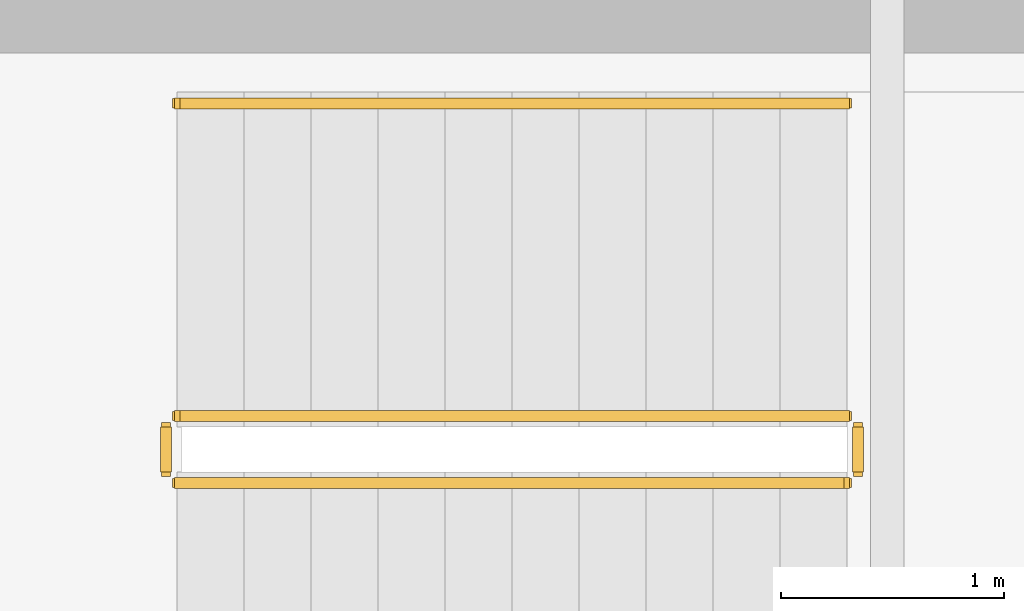
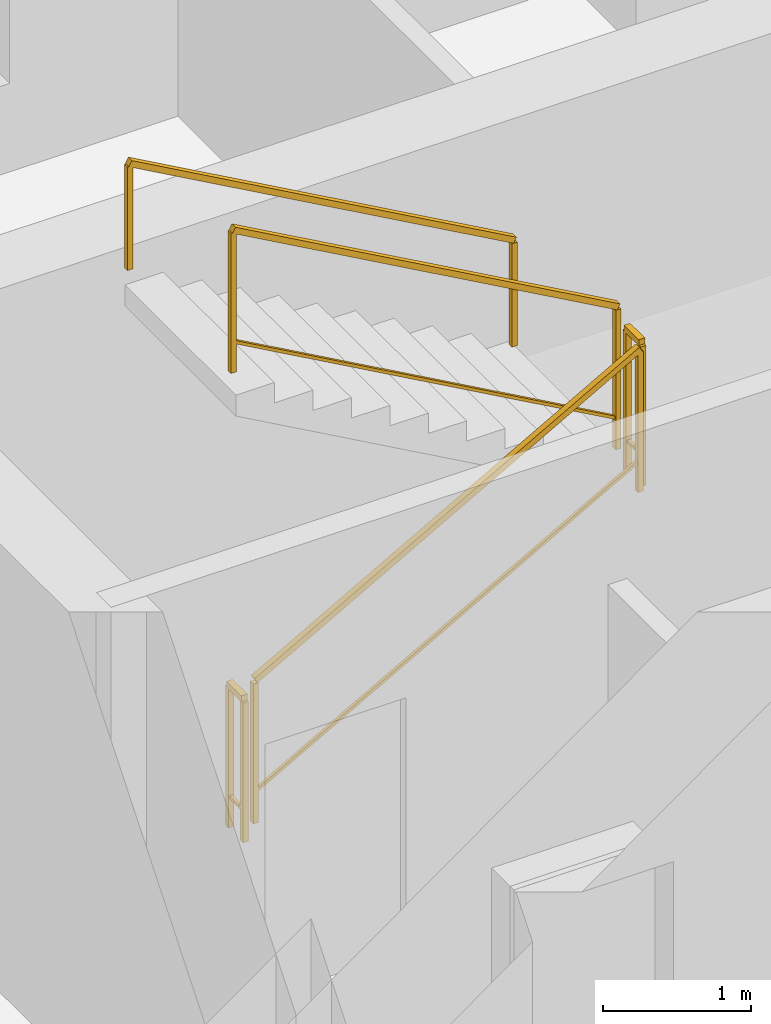
# One storey, part 10 of 10: 5 railings.
"""IFC4 building model written with IfcOpenShell, lengths in metres."""

from ifc_helpers import new_model, si_unit, direction, frame, origin, origin_2d, place, context, subcontext, project, spatial, rectangle, extrude, material, type_object, element, save


model = new_model("IFC4")

# Units and contexts
model_context = context("Model", 3, precision=1e-05, world=origin(), true_north=direction((0.0, 1.0)))
body_context = subcontext(model_context, "Body", "Model", "MODEL_VIEW")
ifc_project = project(units=[si_unit("LENGTHUNIT", "METRE"), si_unit("AREAUNIT", "SQUARE_METRE"), si_unit("VOLUMEUNIT", "CUBIC_METRE"), si_unit("PLANEANGLEUNIT", "RADIAN"), si_unit("MASSUNIT", "GRAM", prefix="KILO")], contexts=[model_context])

# Site, building, storey
site_placement = place(None, origin())
site = spatial("IfcSite", under=ifc_project, at=site_placement, CompositionType="ELEMENT")
building_placement = place(site_placement, origin())
building = spatial("IfcBuilding", under=site, at=building_placement, Name="Svetorya Sky Lyceum", CompositionType="ELEMENT")
storey_placement = place(building_placement, frame((0.0, 0.0, 129.0)))
storey = spatial("IfcBuildingStorey", under=building, at=storey_placement, Name="L32", CompositionType="ELEMENT", Elevation=129.0)

# Railings
ifc_material_1 = material(Name="Painted galvanized stair well guard")
railing_type_1 = type_object("IfcRailingType", Name="RL-STR-GUARD-1200", PredefinedType="GUARDRAIL", material=ifc_material_1)
railing_1_placement = place(storey_placement, frame((27.699951171875, 43.60009765625, 0.168212890625)))
element("IfcRailing", 1, at=railing_1_placement, inside=storey, type_object=railing_type_1, Name="L32 ST-N stair guard 1", PredefinedType="GUARDRAIL", context=body_context, shape_type="SweptSolid", body=[
    extrude(rectangle(XDim=0.048095703125, YDim=0.048095703125, at=origin_2d()), frame((0.0, 0.0, 1.17578125), z_axis=(0.872272294576, 0.0, 0.489020494575), x_axis=(0.0, 1.0, 0.0)), (0.0, 0.0, 1.0), 3.439208984375),
    extrude(rectangle(XDim=0.02392578125, YDim=0.02392578125, at=origin_2d()), frame((0.0, 0.0, 0.25), z_axis=(0.872272294576, 0.0, 0.489020494575), x_axis=(0.0, 1.0, 0.0)), (0.0, 0.0, 1.0), 3.439208984375),
    extrude(rectangle(XDim=0.0419921875, YDim=0.0419921875, at=origin_2d()), origin(), (0.0, 0.0, 1.0), 1.15185546875),
    extrude(rectangle(XDim=0.0419921875, YDim=0.0419921875, at=origin_2d()), frame((3.0, 0.0, 1.681884765625)), (0.0, 0.0, 1.0), 1.15185546875),
])
railing_2_placement = place(storey_placement, frame((30.75, 43.64990234375, 1.85009765625)))
element("IfcRailing", 2, at=railing_2_placement, inside=storey, type_object=railing_type_1, Name="L32 ST-N stair guard 2", PredefinedType="GUARDRAIL", context=body_context, shape_type="SweptSolid", body=[
    extrude(rectangle(XDim=0.048095703125, YDim=0.048095703125, at=origin_2d()), frame((0.0, 0.0, 1.17578125), z_axis=(0.0, 1.0, 0.0), x_axis=(-1.0, 0.0, 0.0)), (0.0, 0.0, 1.0), 0.2001953125),
    extrude(rectangle(XDim=0.02392578125, YDim=0.02392578125, at=origin_2d()), frame((0.0, 0.0, 0.25), z_axis=(0.0, 1.0, 0.0), x_axis=(-1.0, 0.0, 0.0)), (0.0, 0.0, 1.0), 0.2001953125),
    extrude(rectangle(XDim=0.0419921875, YDim=0.0419921875, at=origin_2d()), origin(), (0.0, 0.0, 1.0), 1.15185546875),
    extrude(rectangle(XDim=0.0419921875, YDim=0.0419921875, at=origin_2d()), frame((0.0, 0.2001953125, 0.0)), (0.0, 0.0, 1.0), 1.15185546875),
])
railing_3_placement = place(storey_placement, frame((30.699951171875, 43.89990234375, 2.01806640625)))
element("IfcRailing", 3, at=railing_3_placement, inside=storey, type_object=railing_type_1, Name="L32 ST-N stair guard 3", PredefinedType="GUARDRAIL", context=body_context, shape_type="SweptSolid", body=[
    extrude(rectangle(XDim=0.048095703125, YDim=0.048095703125, at=origin_2d()), frame((0.0, 0.0, 1.17578125), z_axis=(-0.872272294576, 0.0, 0.489020494575), x_axis=(0.0, -1.0, 0.0)), (0.0, 0.0, 1.0), 3.439208984375),
    extrude(rectangle(XDim=0.02392578125, YDim=0.02392578125, at=origin_2d()), frame((0.0, 0.0, 0.25), z_axis=(-0.872272294576, 0.0, 0.489020494575), x_axis=(0.0, -1.0, 0.0)), (0.0, 0.0, 1.0), 3.439208984375),
    extrude(rectangle(XDim=0.0419921875, YDim=0.0419921875, at=origin_2d()), origin(), (0.0, 0.0, 1.0), 1.15185546875),
    extrude(rectangle(XDim=0.0419921875, YDim=0.0419921875, at=origin_2d()), frame((-3.0, 0.0, 1.681884765625)), (0.0, 0.0, 1.0), 1.15185546875),
])
railing_4_placement = place(storey_placement, frame((27.64990234375, 43.64990234375, 0.0)))
element("IfcRailing", 4, at=railing_4_placement, inside=storey, type_object=railing_type_1, Name="L32 ST-N stair guard 4", PredefinedType="GUARDRAIL", context=body_context, shape_type="SweptSolid", body=[
    extrude(rectangle(XDim=0.048095703125, YDim=0.048095703125, at=origin_2d()), frame((0.0, 0.0, 1.17578125), z_axis=(0.0, 1.0, 0.0), x_axis=(-1.0, 0.0, 0.0)), (0.0, 0.0, 1.0), 0.2001953125),
    extrude(rectangle(XDim=0.02392578125, YDim=0.02392578125, at=origin_2d()), frame((0.0, 0.0, 0.25), z_axis=(0.0, 1.0, 0.0), x_axis=(-1.0, 0.0, 0.0)), (0.0, 0.0, 1.0), 0.2001953125),
    extrude(rectangle(XDim=0.0419921875, YDim=0.0419921875, at=origin_2d()), origin(), (0.0, 0.0, 1.0), 1.15185546875),
    extrude(rectangle(XDim=0.0419921875, YDim=0.0419921875, at=origin_2d()), frame((0.0, 0.2001953125, 0.0)), (0.0, 0.0, 1.0), 1.15185546875),
])
ifc_material_2 = material(Name="Brushed stainless AISI 304 stair handrail")
railing_type_2 = type_object("IfcRailingType", Name="RL-STR-HAND-920", PredefinedType="HANDRAIL", material=ifc_material_2)
railing_5_placement = place(storey_placement, frame((30.699951171875, 45.300048828125, 2.01806640625)))
element("IfcRailing", 5, at=railing_5_placement, inside=storey, type_object=railing_type_2, Name="L32 ST-N stair handrail 2", PredefinedType="HANDRAIL", context=body_context, shape_type="SweptSolid", body=[
    extrude(rectangle(XDim=0.048095703125, YDim=0.048095703125, at=origin_2d()), frame((0.0, 0.0, 0.8759765625), z_axis=(-0.872272294576, 0.0, 0.489020494575), x_axis=(0.0, -1.0, 0.0)), (0.0, 0.0, 1.0), 3.439208984375),
    extrude(rectangle(XDim=0.0419921875, YDim=0.0419921875, at=origin_2d()), origin(), (0.0, 0.0, 1.0), 0.851806640625),
    extrude(rectangle(XDim=0.0419921875, YDim=0.0419921875, at=origin_2d()), frame((-3.0, 0.0, 1.681884765625)), (0.0, 0.0, 1.0), 0.851806640625),
])

save(model, "model.ifc")
